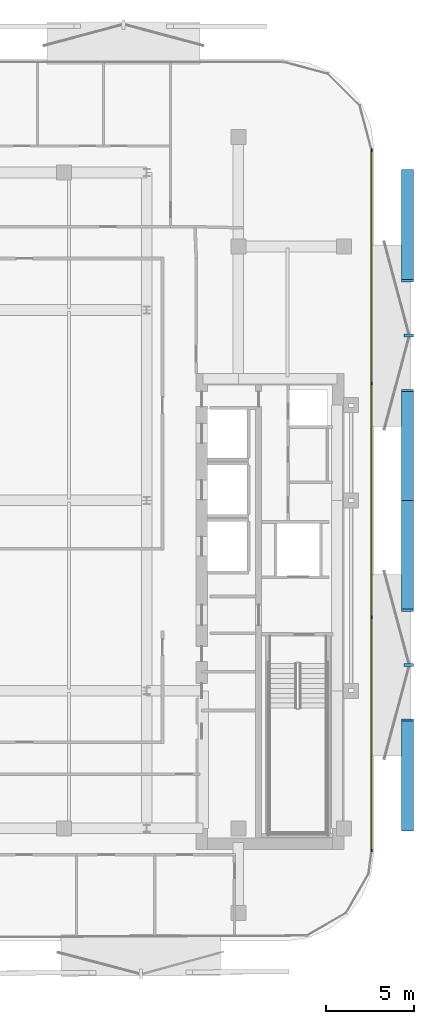
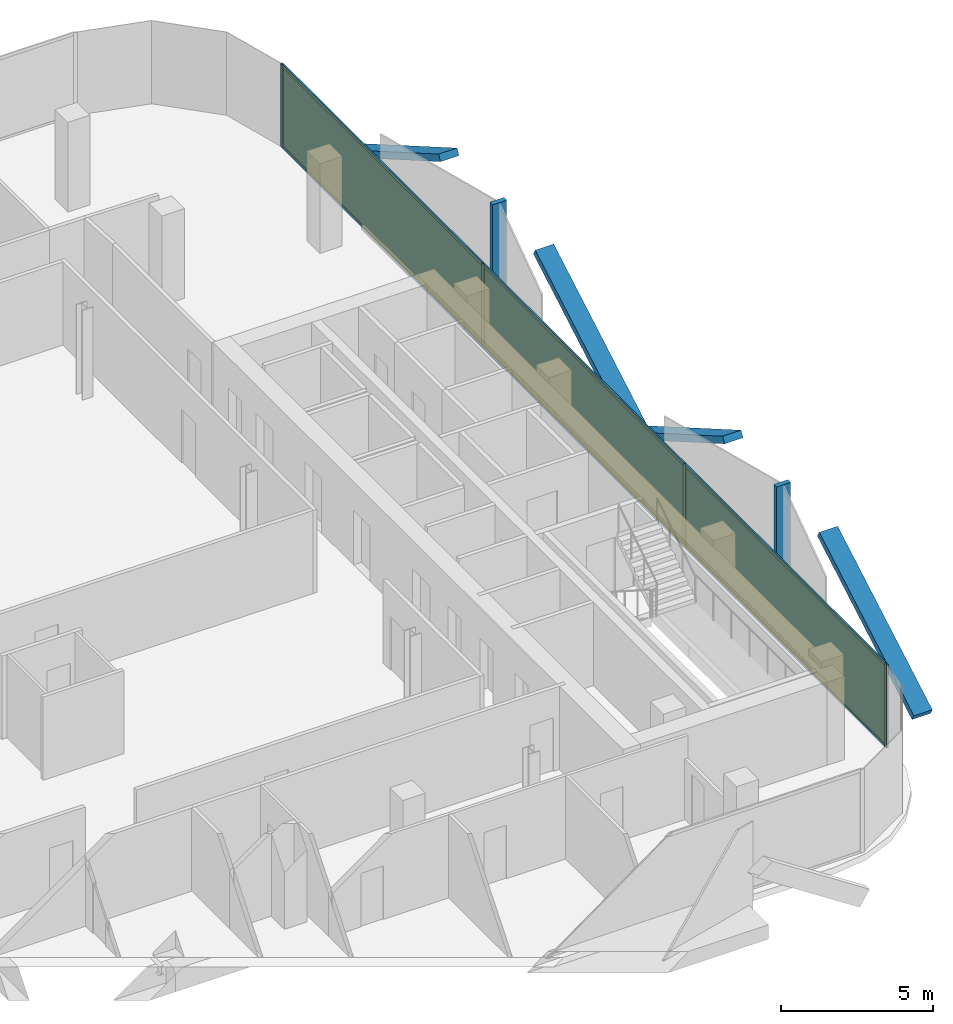
# One storey, part 10 of 14: 16 members, 3 plates, 1 curtain wall.
"""IFC4 building model written with IfcOpenShell, lengths in metres."""

from ifc_helpers import new_model, si_unit, direction, frame, frame_2d, origin, origin_2d, place, context, subcontext, project, spatial, rectangle, extrude, material, layer, layer_set, material_profile, profile_set, type_object, element, aggregate, save


model = new_model("IFC4")

# Units and contexts
model_context = context("Model", 3, precision=1e-05, world=origin(), true_north=direction((0.0, 1.0)))
body_context = subcontext(model_context, "Body", "Model", "MODEL_VIEW")
ifc_project = project(units=[si_unit("LENGTHUNIT", "METRE"), si_unit("AREAUNIT", "SQUARE_METRE"), si_unit("VOLUMEUNIT", "CUBIC_METRE"), si_unit("PLANEANGLEUNIT", "RADIAN"), si_unit("MASSUNIT", "GRAM", prefix="KILO")], contexts=[model_context])

# Member
ifc_material_1 = material(Name="Anodised Bronze Aluminium 6063-T6", Category="aluminium")
ifc_material_profile_1 = material_profile(ifc_material_1, rectangle(XDim=0.260009765625, YDim=0.699951171875, at=origin_2d()))
ifc_profile_set_1 = profile_set([ifc_material_profile_1], Name="Anodised Bronze Aluminium 6063-T6")
member_type_1 = type_object("IfcMemberType", Name="Bronze Diamond Solar-Screen Lattice Rib BDL-700", PredefinedType="MULLION", material=ifc_profile_set_1)
site_placement = place(None, origin())
building_placement = place(site_placement, origin())
storey_placement = place(building_placement, frame((0.0, 0.0, 233.199951171875)))
member_1_placement = place(storey_placement, frame((24.0, 18.69091796875, -0.1298828125), z_axis=(0.0, -0.865863440235, 0.500280424227), x_axis=(0.0, -0.500280424227, -0.865863440235)))
member_1 = element("IfcMember", 1, at=member_1_placement, type_object=member_type_1, Name="L54 Bronze Diamond Solar Screen Lattice Rib 367A", PredefinedType="MULLION", context=body_context, shape_type="SweptSolid", body=[
    extrude(rectangle(XDim=0.260009765625, YDim=0.699951171875, at=origin_2d()), origin(), (0.0, 0.0, 1.0), 7.195556640625),
])

member_2_placement = place(storey_placement, frame((24.0, 0.0, -0.1298828125), z_axis=(0.0, 0.865854948139, 0.500295121686), x_axis=(0.0, 0.500295121686, -0.865854948139)))
member_2 = element("IfcMember", 2, at=member_2_placement, type_object=member_type_1, Name="L54 Bronze Diamond Solar Screen Lattice Rib 367B", PredefinedType="MULLION", context=body_context, shape_type="SweptSolid", body=[
    extrude(rectangle(XDim=0.260009765625, YDim=0.699951171875, at=origin_2d()), origin(), (0.0, 0.0, 1.0), 7.195556640625),
])

member_3_placement = place(storey_placement, frame((24.0, 0.0, -0.1298828125), z_axis=(0.0, -0.865854948139, 0.500295121686), x_axis=(0.0, -0.500295121686, -0.865854948139)))
member_3 = element("IfcMember", 3, at=member_3_placement, type_object=member_type_1, Name="L54 Bronze Diamond Solar Screen Lattice Rib 368A", PredefinedType="MULLION", context=body_context, shape_type="SweptSolid", body=[
    extrude(rectangle(XDim=0.260009765625, YDim=0.699951171875, at=origin_2d()), origin(), (0.0, 0.0, 1.0), 7.195556640625),
])

member_4_placement = place(storey_placement, frame((24.0, -18.69091796875, -0.1298828125), z_axis=(0.0, 0.865863440235, 0.500280424227), x_axis=(0.0, 0.500280424227, -0.865863440235)))
member_4 = element("IfcMember", 4, at=member_4_placement, type_object=member_type_1, Name="L54 Bronze Diamond Solar Screen Lattice Rib 368B", PredefinedType="MULLION", context=body_context, shape_type="SweptSolid", body=[
    extrude(rectangle(XDim=0.260009765625, YDim=0.699951171875, at=origin_2d()), origin(), (0.0, 0.0, 1.0), 7.195556640625),
])

ifc_material_2 = material(Name="Anodised Bronze Aluminium 6063-T6", Category="aluminium")
ifc_material_profile_2 = material_profile(ifc_material_2, rectangle(XDim=0.179931640625, YDim=0.5400390625, at=origin_2d()))
ifc_profile_set_2 = profile_set([ifc_material_profile_2], Name="Anodised Bronze Aluminium 6063-T6")
member_type_2 = type_object("IfcMemberType", Name="Bronze Solar-Screen Vertical Fold Fin BSF-540", PredefinedType="MULLION", material=ifc_profile_set_2)
member_5_placement = place(storey_placement, frame((24.080078125, 9.345458984375, -0.1298828125), z_axis=(0.0, 0.0, 1.0), x_axis=(0.0, -1.0, 0.0)))
member_5 = element("IfcMember", 5, at=member_5_placement, type_object=member_type_2, Name="L54 Bronze Solar Screen Vertical Fin 367", PredefinedType="MULLION", context=body_context, shape_type="SweptSolid", body=[
    extrude(rectangle(XDim=0.179931640625, YDim=0.5400390625, at=origin_2d()), origin(), (0.0, 0.0, 1.0), 3.599853515625),
])

member_6_placement = place(storey_placement, frame((24.080078125, -9.345458984375, -0.1298828125), z_axis=(0.0, 0.0, 1.0), x_axis=(0.0, -1.0, 0.0)))
member_6 = element("IfcMember", 6, at=member_6_placement, type_object=member_type_2, Name="L54 Bronze Solar Screen Vertical Fin 368", PredefinedType="MULLION", context=body_context, shape_type="SweptSolid", body=[
    extrude(rectangle(XDim=0.179931640625, YDim=0.5400390625, at=origin_2d()), origin(), (0.0, 0.0, 1.0), 3.599853515625),
])

ifc_material_3 = material(Name="Anodised Bronze Aluminium 6063-T6", Category="aluminium")
ifc_material_profile_3 = material_profile(ifc_material_3, rectangle(XDim=0.06005859375, YDim=0.159912109375, at=origin_2d()))
ifc_profile_set_3 = profile_set([ifc_material_profile_3], Name="Anodised Bronze Aluminium 6063-T6")
member_type_3 = type_object("IfcMemberType", Name="CW-Z4 Mullion 60x160", PredefinedType="MULLION", material=ifc_profile_set_3)
member_7_placement = place(storey_placement, frame((21.9599609375, 19.86083984375, 0.0), z_axis=(0.0, 0.0, 1.0), x_axis=(1.0, 0.0, 0.0)))
member_7 = element("IfcMember", 7, at=member_7_placement, type_object=member_type_3, Name="CW-Z4 mullion 1", PredefinedType="MULLION", context=body_context, shape_type="SweptSolid", body=[
    extrude(rectangle(XDim=0.06005859375, YDim=0.159912109375, at=origin_2d()), origin(), (0.0, 0.0, 1.0), 3.340087890625),
])

member_8_placement = place(storey_placement, frame((21.9599609375, 6.63037109375, 0.0), z_axis=(0.0, 0.0, 1.0), x_axis=(1.0, 0.0, 0.0)))
member_8 = element("IfcMember", 8, at=member_8_placement, type_object=member_type_3, Name="CW-Z4 mullion 2", PredefinedType="MULLION", context=body_context, shape_type="SweptSolid", body=[
    extrude(rectangle(XDim=0.06005859375, YDim=0.159912109375, at=origin_2d()), origin(), (0.0, 0.0, 1.0), 3.340087890625),
])

member_9_placement = place(storey_placement, frame((21.9599609375, -6.63037109375, 0.0), z_axis=(0.0, 0.0, 1.0), x_axis=(1.0, 0.0, 0.0)))
member_9 = element("IfcMember", 9, at=member_9_placement, type_object=member_type_3, Name="CW-Z4 mullion 3", PredefinedType="MULLION", context=body_context, shape_type="SweptSolid", body=[
    extrude(rectangle(XDim=0.06005859375, YDim=0.159912109375, at=origin_2d()), origin(), (0.0, 0.0, 1.0), 3.340087890625),
])

member_10_placement = place(storey_placement, frame((21.9599609375, -19.86083984375, 0.0), z_axis=(0.0, 0.0, 1.0), x_axis=(1.0, 0.0, 0.0)))
member_10 = element("IfcMember", 10, at=member_10_placement, type_object=member_type_3, Name="CW-Z4 mullion 4", PredefinedType="MULLION", context=body_context, shape_type="SweptSolid", body=[
    extrude(rectangle(XDim=0.06005859375, YDim=0.159912109375, at=origin_2d()), origin(), (0.0, 0.0, 1.0), 3.340087890625),
])

ifc_material_4 = material(Name="Anodised Bronze Aluminium 6063-T6", Category="aluminium")
ifc_material_profile_4 = material_profile(ifc_material_4, rectangle(XDim=0.06005859375, YDim=0.125, at=origin_2d()))
ifc_profile_set_4 = profile_set([ifc_material_profile_4], Name="Anodised Bronze Aluminium 6063-T6")
member_type_4 = type_object("IfcMemberType", Name="CW-Z4 Transom 60x125", PredefinedType="USERDEFINED", material=ifc_profile_set_4)
member_11_placement = place(storey_placement, frame((21.9599609375, 19.830810546875, 0.030029296875), z_axis=(0.0, -1.0, 0.0), x_axis=(1.0, 0.0, 0.0)))
member_11 = element("IfcMember", 11, at=member_11_placement, type_object=member_type_4, Name="CW-Z4 transom 1.1", ObjectType="TRANSOM", PredefinedType="USERDEFINED", context=body_context, shape_type="SweptSolid", body=[
    extrude(rectangle(XDim=0.06005859375, YDim=0.125, at=origin_2d()), origin(), (0.0, 0.0, 1.0), 13.170654296875),
])

member_12_placement = place(storey_placement, frame((21.9599609375, 19.830810546875, 3.31005859375), z_axis=(0.0, -1.0, 0.0), x_axis=(1.0, 0.0, 0.0)))
member_12 = element("IfcMember", 12, at=member_12_placement, type_object=member_type_4, Name="CW-Z4 transom 1.2", ObjectType="TRANSOM", PredefinedType="USERDEFINED", context=body_context, shape_type="SweptSolid", body=[
    extrude(rectangle(XDim=0.06005859375, YDim=0.125, at=origin_2d()), origin(), (0.0, 0.0, 1.0), 13.170654296875),
])

member_13_placement = place(storey_placement, frame((21.9599609375, 6.600341796875, 0.030029296875), z_axis=(0.0, -1.0, 0.0), x_axis=(1.0, 0.0, 0.0)))
member_13 = element("IfcMember", 13, at=member_13_placement, type_object=member_type_4, Name="CW-Z4 transom 2.1", ObjectType="TRANSOM", PredefinedType="USERDEFINED", context=body_context, shape_type="SweptSolid", body=[
    extrude(rectangle(XDim=0.06005859375, YDim=0.125, at=origin_2d()), origin(), (0.0, 0.0, 1.0), 13.20068359375),
])

member_14_placement = place(storey_placement, frame((21.9599609375, 6.600341796875, 3.31005859375), z_axis=(0.0, -1.0, 0.0), x_axis=(1.0, 0.0, 0.0)))
member_14 = element("IfcMember", 14, at=member_14_placement, type_object=member_type_4, Name="CW-Z4 transom 2.2", ObjectType="TRANSOM", PredefinedType="USERDEFINED", context=body_context, shape_type="SweptSolid", body=[
    extrude(rectangle(XDim=0.06005859375, YDim=0.125, at=origin_2d()), origin(), (0.0, 0.0, 1.0), 13.20068359375),
])

member_15_placement = place(storey_placement, frame((21.9599609375, -6.66015625, 0.030029296875), z_axis=(0.0, -1.0, 0.0), x_axis=(1.0, 0.0, 0.0)))
member_15 = element("IfcMember", 15, at=member_15_placement, type_object=member_type_4, Name="CW-Z4 transom 3.1", ObjectType="TRANSOM", PredefinedType="USERDEFINED", context=body_context, shape_type="SweptSolid", body=[
    extrude(rectangle(XDim=0.06005859375, YDim=0.125, at=origin_2d()), origin(), (0.0, 0.0, 1.0), 13.170654296875),
])

member_16_placement = place(storey_placement, frame((21.9599609375, -6.66015625, 3.31005859375), z_axis=(0.0, -1.0, 0.0), x_axis=(1.0, 0.0, 0.0)))
member_16 = element("IfcMember", 16, at=member_16_placement, type_object=member_type_4, Name="CW-Z4 transom 3.2", ObjectType="TRANSOM", PredefinedType="USERDEFINED", context=body_context, shape_type="SweptSolid", body=[
    extrude(rectangle(XDim=0.06005859375, YDim=0.125, at=origin_2d()), origin(), (0.0, 0.0, 1.0), 13.170654296875),
])

# Plate
ifc_material_5 = material(Name="Low-E Solar Control Laminated Glass", Category="glass")
ifc_layer_1 = layer(ifc_material_5, 0.030029296875, Name="Low-E Solar Control Laminated Glass")
ifc_layer_set_1 = layer_set([ifc_layer_1], Name="Low-E Solar Control Laminated Glass")
plate_type = type_object("IfcPlateType", Name="CW-Z4 Low-E Double Glazed Panel 30mm", PredefinedType="CURTAIN_PANEL", material=ifc_layer_set_1)
plate_1_placement = place(storey_placement, frame((21.9599609375, 13.24560546875, 0.06005859375), z_axis=(0.0, 0.0, 1.0), x_axis=(0.0, -1.0, 0.0)))
plate_1 = element("IfcPlate", 17, at=plate_1_placement, type_object=plate_type, Name="CW-Z4 panel 1.1", PredefinedType="CURTAIN_PANEL", context=body_context, shape_type="SweptSolid", body=[
    extrude(rectangle(XDim=13.170654296875, YDim=0.030029296875, at=origin_2d()), origin(), (0.0, 0.0, 1.0), 3.219970703125),
])

plate_2_placement = place(storey_placement, frame((21.9599609375, 0.0, 0.06005859375), z_axis=(0.0, 0.0, 1.0), x_axis=(0.0, -1.0, 0.0)))
plate_2 = element("IfcPlate", 18, at=plate_2_placement, type_object=plate_type, Name="CW-Z4 panel 2.1", PredefinedType="CURTAIN_PANEL", context=body_context, shape_type="SweptSolid", body=[
    extrude(rectangle(XDim=13.200439453125, YDim=0.030029296875, at=origin_2d()), origin(), (0.0, 0.0, 1.0), 3.219970703125),
])

plate_3_placement = place(storey_placement, frame((21.9599609375, -13.24560546875, 0.06005859375), z_axis=(0.0, 0.0, 1.0), x_axis=(0.0, -1.0, 0.0)))
plate_3 = element("IfcPlate", 19, at=plate_3_placement, type_object=plate_type, Name="CW-Z4 panel 3.1", PredefinedType="CURTAIN_PANEL", context=body_context, shape_type="SweptSolid", body=[
    extrude(rectangle(XDim=13.170654296875, YDim=0.030029296875, at=origin_2d()), origin(), (0.0, 0.0, 1.0), 3.219970703125),
])

# Site, building, storey
site = spatial("IfcSite", under=ifc_project, at=site_placement, CompositionType="ELEMENT")
building = spatial("IfcBuilding", under=site, at=building_placement, Name="Khairoan Windgate Tower", CompositionType="ELEMENT")
storey = spatial("IfcBuildingStorey", under=building, at=storey_placement, Name="L54", CompositionType="ELEMENT", Elevation=233.199951171875)

# Curtain wall
ifc_material_6 = material(Name="Anodised Bronze Aluminium 6063-T6", Category="aluminium")
ifc_layer_2 = layer(ifc_material_6, 0.159912109375, Name="Anodised Bronze Aluminium 6063-T6")
ifc_layer_set_2 = layer_set([ifc_layer_2], Name="Anodised Bronze Aluminium 6063-T6")
curtain_wall_type = type_object("IfcCurtainWallType", Name="Sky Residence Unitised Curtain Wall CW-Z4", PredefinedType="NOTDEFINED", material=ifc_layer_set_2)
curtain_wall_placement = place(storey_placement, frame((21.9599609375, 19.890869140625, 0.0), z_axis=(0.0, 0.0, 1.0), x_axis=(0.0, -1.0, 0.0)))
curtain_wall = element("IfcCurtainWall", 20, at=curtain_wall_placement, inside=storey, type_object=curtain_wall_type, Name="L54 Unitised Curtain Wall 13", PredefinedType="NOTDEFINED", context=body_context, shape_type="SweptSolid", body=[
    extrude(rectangle(XDim=39.78173828125, YDim=0.010009765625, at=frame_2d((19.890869140625, 0.0))), origin(), (0.0, 0.0, 1.0), 3.340087890625),
])

aggregate(curtain_wall, [member_7, member_8, member_9, member_10, member_11, member_12, plate_1, member_13, member_14, plate_2, member_15, member_16, plate_3, member_1, member_2, member_5, member_3, member_4, member_6])

save(model, "model.ifc")
